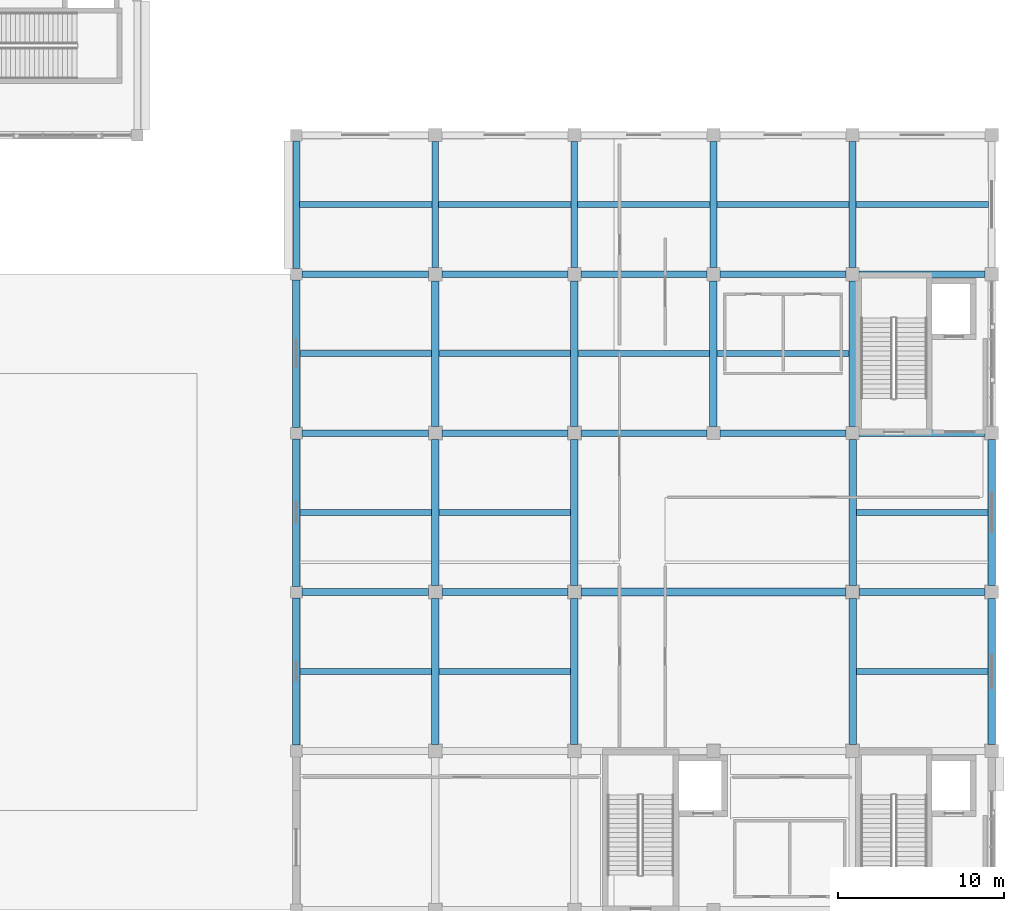
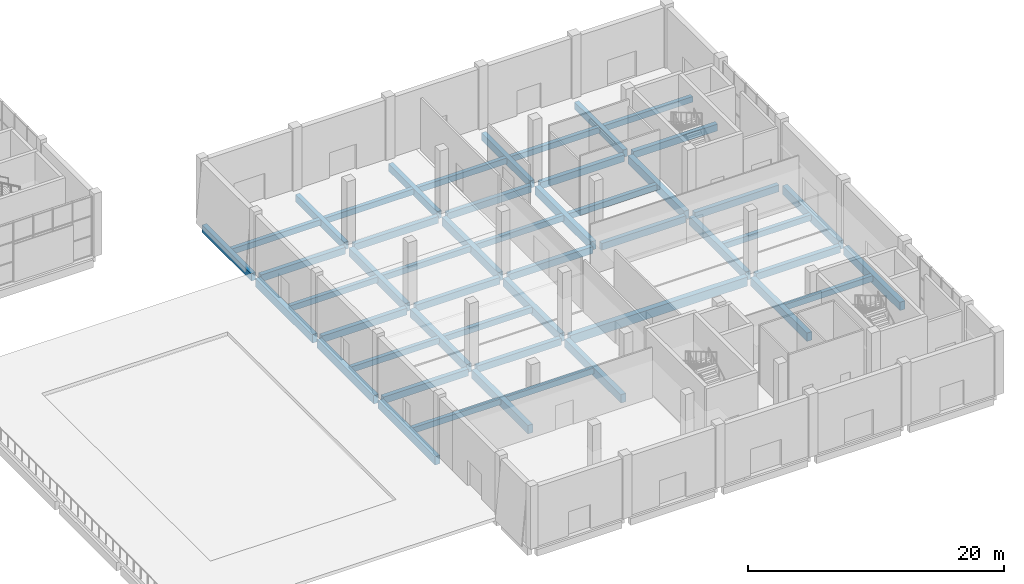
# One storey, part 36 of 84: 49 beams.
"""IFC4 building model written with IfcOpenShell, lengths in metres."""

from ifc_helpers import new_model, si_unit, direction, frame, origin, origin_2d, place, context, subcontext, project, spatial, rectangle, extrude, material, material_profile, profile_set, type_object, element, save


model = new_model("IFC4")

# Units and contexts
model_context = context("Model", 3, precision=1e-05, world=origin(), true_north=direction((0.0, 1.0)))
body_context = subcontext(model_context, "Body", "Model", "MODEL_VIEW")
ifc_project = project(units=[si_unit("LENGTHUNIT", "METRE"), si_unit("AREAUNIT", "SQUARE_METRE"), si_unit("VOLUMEUNIT", "CUBIC_METRE"), si_unit("PLANEANGLEUNIT", "RADIAN"), si_unit("MASSUNIT", "GRAM", prefix="KILO")], contexts=[model_context])

# Site, building, storey
site_placement = place(None, origin())
site = spatial("IfcSite", under=ifc_project, at=site_placement, CompositionType="ELEMENT")
building_placement = place(site_placement, origin())
building = spatial("IfcBuilding", under=site, at=building_placement, Name="Shalvenor Court Art Gallery", CompositionType="ELEMENT")
storey_placement = place(building_placement, origin())
storey = spatial("IfcBuildingStorey", under=building, at=storey_placement, Name="L00", CompositionType="ELEMENT", Elevation=0.0)

# Beams
ifc_material_1 = material(Name="Concrete C40/50", Category="concrete")
ifc_material_profile_1 = material_profile(ifc_material_1, rectangle(XDim=0.5, YDim=0.85009765625, at=origin_2d()), Name="RC 500x850")
ifc_profile_set_1 = profile_set([ifc_material_profile_1], Name="Concrete C40/50")
beam_type_1 = type_object("IfcBeamType", Name="B-02", PredefinedType="BEAM", material=ifc_profile_set_1)
beam_1_placement = place(storey_placement, frame((151.60009765625, 69.60009765625, -0.764892578125), z_axis=(1.0, 0.0, 0.0), x_axis=(0.0, 1.0, 0.0)))
element("IfcBeam", 1, at=beam_1_placement, inside=storey, type_object=beam_type_1, Name="L00 Girder BM-L00-B-02-0217", PredefinedType="BEAM", context=body_context, shape_type="SweptSolid", body=[
    extrude(rectangle(XDim=0.5, YDim=0.85009765625, at=origin_2d()), origin(), (0.0, 0.0, 1.0), 16.0),
])
ifc_material_2 = material(Name="Concrete C40/50", Category="concrete")
ifc_material_profile_2 = material_profile(ifc_material_2, rectangle(XDim=0.449951171875, YDim=0.800048828125, at=origin_2d()), Name="RC 450x800")
ifc_profile_set_2 = profile_set([ifc_material_profile_2], Name="Concrete C40/50")
beam_type_2 = type_object("IfcBeamType", Name="B-03", PredefinedType="BEAM", material=ifc_profile_set_2)
beam_2_placement = place(storey_placement, frame((134.39990234375, 60.35009765625, -0.739990234375), z_axis=(0.0, 1.0, 0.0), x_axis=(-1.0, 0.0, 0.0)))
element("IfcBeam", 2, at=beam_2_placement, inside=storey, type_object=beam_type_2, Name="L00 Girder BM-L00-B-03-0108", PredefinedType="BEAM", context=body_context, shape_type="SweptSolid", body=[
    extrude(rectangle(XDim=0.449951171875, YDim=0.800048828125, at=origin_2d()), origin(), (0.0, 0.0, 1.0), 8.89990234375),
])
beam_3_placement = place(storey_placement, frame((134.39990234375, 69.949951171875, -0.739990234375), z_axis=(0.0, 1.0, 0.0), x_axis=(-1.0, 0.0, 0.0)))
element("IfcBeam", 3, at=beam_3_placement, inside=storey, type_object=beam_type_2, Name="L00 Girder BM-L00-B-03-0109", PredefinedType="BEAM", context=body_context, shape_type="SweptSolid", body=[
    extrude(rectangle(XDim=0.449951171875, YDim=0.800048828125, at=origin_2d()), origin(), (0.0, 0.0, 1.0), 8.900146484375),
])
beam_4_placement = place(storey_placement, frame((134.39990234375, 79.550048828125, -0.739990234375), z_axis=(0.0, 1.0, 0.0), x_axis=(-1.0, 0.0, 0.0)))
element("IfcBeam", 4, at=beam_4_placement, inside=storey, type_object=beam_type_2, Name="L00 Girder BM-L00-B-03-0110", PredefinedType="BEAM", context=body_context, shape_type="SweptSolid", body=[
    extrude(rectangle(XDim=0.449951171875, YDim=0.800048828125, at=origin_2d()), origin(), (0.0, 0.0, 1.0), 8.89990234375),
])
for number, where, z_axis, x_axis, name in (
    (5, (142.800048828125, 60.39990234375, -0.739990234375), (0.0, 1.0, 0.0), (-1.0, 0.0, 0.0), "L00 Girder BM-L00-B-03-0114"),
    (6, (142.800048828125, 70.0, -0.739990234375), (0.0, 1.0, 0.0), (-1.0, 0.0, 0.0), "L00 Girder BM-L00-B-03-0115"),
):
    element("IfcBeam", number, at=place(storey_placement, frame(where, z_axis=z_axis, x_axis=x_axis)), inside=storey, type_object=beam_type_2, Name=name, PredefinedType="BEAM", context=body_context, shape_type="SweptSolid", body=[
        extrude(rectangle(XDim=0.449951171875, YDim=0.800048828125, at=origin_2d()), origin(), (0.0, 0.0, 1.0), 8.800048828125),
    ])
beam_5_placement = place(storey_placement, frame((142.800048828125, 79.60009765625, -0.739990234375), z_axis=(0.0, 1.0, 0.0), x_axis=(-1.0, 0.0, 0.0)))
element("IfcBeam", 7, at=beam_5_placement, inside=storey, type_object=beam_type_2, Name="L00 Girder BM-L00-B-03-0116", PredefinedType="BEAM", context=body_context, shape_type="SweptSolid", body=[
    extrude(rectangle(XDim=0.449951171875, YDim=0.800048828125, at=origin_2d()), origin(), (0.0, 0.0, 1.0), 8.7998046875),
])
for number, where, z_axis, x_axis, name in (
    (8, (151.199951171875, 60.39990234375, -0.739990234375), (0.0, 1.0, 0.0), (-1.0, 0.0, 0.0), "L00 Girder BM-L00-B-03-0120"),
    (9, (151.199951171875, 70.0, -0.739990234375), (0.0, 1.0, 0.0), (-1.0, 0.0, 0.0), "L00 Girder BM-L00-B-03-0121"),
):
    element("IfcBeam", number, at=place(storey_placement, frame(where, z_axis=z_axis, x_axis=x_axis)), inside=storey, type_object=beam_type_2, Name=name, PredefinedType="BEAM", context=body_context, shape_type="SweptSolid", body=[
        extrude(rectangle(XDim=0.449951171875, YDim=0.800048828125, at=origin_2d()), origin(), (0.0, 0.0, 1.0), 8.800048828125),
    ])
for number, where, z_axis, x_axis, name in (
    (10, (151.199951171875, 79.60009765625, -0.739990234375), (0.0, 1.0, 0.0), (-1.0, 0.0, 0.0), "L00 Girder BM-L00-B-03-0122"),
    (11, (159.60009765625, 79.60009765625, -0.739990234375), (0.0, 1.0, 0.0), (-1.0, 0.0, 0.0), "L00 Girder BM-L00-B-03-0125"),
):
    element("IfcBeam", number, at=place(storey_placement, frame(where, z_axis=z_axis, x_axis=x_axis)), inside=storey, type_object=beam_type_2, Name=name, PredefinedType="BEAM", context=body_context, shape_type="SweptSolid", body=[
        extrude(rectangle(XDim=0.449951171875, YDim=0.800048828125, at=origin_2d()), origin(), (0.0, 0.0, 1.0), 8.7998046875),
    ])
for number, where, z_axis, x_axis, name in (
    (12, (168.0, 60.39990234375, -0.739990234375), (0.0, 1.0, 0.0), (-1.0, 0.0, 0.0), "L00 Girder BM-L00-B-03-0129"),
    (13, (168.0, 70.0, -0.739990234375), (0.0, 1.0, 0.0), (-1.0, 0.0, 0.0), "L00 Girder BM-L00-B-03-0130"),
):
    element("IfcBeam", number, at=place(storey_placement, frame(where, z_axis=z_axis, x_axis=x_axis)), inside=storey, type_object=beam_type_2, Name=name, PredefinedType="BEAM", context=body_context, shape_type="SweptSolid", body=[
        extrude(rectangle(XDim=0.449951171875, YDim=0.800048828125, at=origin_2d()), origin(), (0.0, 0.0, 1.0), 8.800048828125),
    ])
beam_6_placement = place(storey_placement, frame((168.0, 79.60009765625, -0.739990234375), z_axis=(0.0, 1.0, 0.0), x_axis=(-1.0, 0.0, 0.0)))
element("IfcBeam", 14, at=beam_6_placement, inside=storey, type_object=beam_type_2, Name="L00 Girder BM-L00-B-03-0131", PredefinedType="BEAM", context=body_context, shape_type="SweptSolid", body=[
    extrude(rectangle(XDim=0.449951171875, YDim=0.800048828125, at=origin_2d()), origin(), (0.0, 0.0, 1.0), 8.7998046875),
])
for number, where, z_axis, x_axis, name in (
    (15, (176.39990234375, 60.39990234375, -0.739990234375), (0.0, 1.0, 0.0), (-1.0, 0.0, 0.0), "L00 Girder BM-L00-B-03-0135"),
    (16, (176.39990234375, 70.0, -0.739990234375), (0.0, 1.0, 0.0), (-1.0, 0.0, 0.0), "L00 Girder BM-L00-B-03-0136"),
):
    element("IfcBeam", number, at=place(storey_placement, frame(where, z_axis=z_axis, x_axis=x_axis)), inside=storey, type_object=beam_type_2, Name=name, PredefinedType="BEAM", context=body_context, shape_type="SweptSolid", body=[
        extrude(rectangle(XDim=0.449951171875, YDim=0.800048828125, at=origin_2d()), origin(), (0.0, 0.0, 1.0), 8.800048828125),
    ])
ifc_material_3 = material(Name="Concrete C40/50", Category="concrete")
ifc_material_profile_3 = material_profile(ifc_material_3, rectangle(XDim=0.39990234375, YDim=0.699951171875, at=origin_2d()), Name="RC 400x700")
ifc_profile_set_3 = profile_set([ifc_material_profile_3], Name="Concrete C40/50")
beam_type_3 = type_object("IfcBeamType", Name="B-05", PredefinedType="BEAM", material=ifc_profile_set_3)
beam_7_placement = place(storey_placement, frame((134.39990234375, 89.14990234375, -0.68994140625), z_axis=(0.0, 1.0, 0.0), x_axis=(-1.0, 0.0, 0.0)))
element("IfcBeam", 17, at=beam_7_placement, inside=storey, type_object=beam_type_3, Name="L00 Girder BM-L00-B-05-0111", PredefinedType="BEAM", context=body_context, shape_type="SweptSolid", body=[
    extrude(rectangle(XDim=0.39990234375, YDim=0.699951171875, at=origin_2d()), origin(), (0.0, 0.0, 1.0), 7.7001953125),
])
for number, where, z_axis, x_axis, name in (
    (18, (142.800048828125, 89.199951171875, -0.68994140625), (0.0, 1.0, 0.0), (-1.0, 0.0, 0.0), "L00 Girder BM-L00-B-05-0117"),
    (19, (151.199951171875, 89.199951171875, -0.68994140625), (0.0, 1.0, 0.0), (-1.0, 0.0, 0.0), "L00 Girder BM-L00-B-05-0123"),
    (20, (159.60009765625, 89.199951171875, -0.68994140625), (0.0, 1.0, 0.0), (-1.0, 0.0, 0.0), "L00 Girder BM-L00-B-05-0126"),
    (21, (168.0, 89.199951171875, -0.68994140625), (0.0, 1.0, 0.0), (-1.0, 0.0, 0.0), "L00 Girder BM-L00-B-05-0132"),
):
    element("IfcBeam", number, at=place(storey_placement, frame(where, z_axis=z_axis, x_axis=x_axis)), inside=storey, type_object=beam_type_3, Name=name, PredefinedType="BEAM", context=body_context, shape_type="SweptSolid", body=[
        extrude(rectangle(XDim=0.39990234375, YDim=0.699951171875, at=origin_2d()), origin(), (0.0, 0.0, 1.0), 7.60009765625),
    ])
ifc_material_4 = material(Name="Concrete C40/50", Category="concrete")
ifc_material_profile_4 = material_profile(ifc_material_4, rectangle(XDim=0.39990234375, YDim=0.64990234375, at=origin_2d()), Name="RC 400x650")
ifc_profile_set_4 = profile_set([ifc_material_profile_4], Name="Concrete C40/50")
beam_type_4 = type_object("IfcBeamType", Name="B-06", PredefinedType="BEAM", material=ifc_profile_set_4)
beam_8_placement = place(storey_placement, frame((134.75, 69.60009765625, -0.6650390625), z_axis=(1.0, 0.0, 0.0), x_axis=(0.0, 1.0, 0.0)))
element("IfcBeam", 22, at=beam_8_placement, inside=storey, type_object=beam_type_4, Name="L00 Girder BM-L00-B-06-0215", PredefinedType="BEAM", context=body_context, shape_type="SweptSolid", body=[
    extrude(rectangle(XDim=0.39990234375, YDim=0.64990234375, at=origin_2d()), origin(), (0.0, 0.0, 1.0), 7.64990234375),
])
for number, where, z_axis, x_axis, name in (
    (23, (143.199951171875, 69.60009765625, -0.6650390625), (1.0, 0.0, 0.0), (0.0, 1.0, 0.0), "L00 Girder BM-L00-B-06-0216"),
    (24, (168.39990234375, 69.60009765625, -0.6650390625), (1.0, 0.0, 0.0), (0.0, 1.0, 0.0), "L00 Girder BM-L00-B-06-0218"),
):
    element("IfcBeam", number, at=place(storey_placement, frame(where, z_axis=z_axis, x_axis=x_axis)), inside=storey, type_object=beam_type_4, Name=name, PredefinedType="BEAM", context=body_context, shape_type="SweptSolid", body=[
        extrude(rectangle(XDim=0.39990234375, YDim=0.64990234375, at=origin_2d()), origin(), (0.0, 0.0, 1.0), 7.60009765625),
    ])
beam_9_placement = place(storey_placement, frame((134.75, 79.199951171875, -0.6650390625), z_axis=(1.0, 0.0, 0.0), x_axis=(0.0, 1.0, 0.0)))
element("IfcBeam", 25, at=beam_9_placement, inside=storey, type_object=beam_type_4, Name="L00 Girder BM-L00-B-06-0223", PredefinedType="BEAM", context=body_context, shape_type="SweptSolid", body=[
    extrude(rectangle(XDim=0.39990234375, YDim=0.64990234375, at=origin_2d()), origin(), (0.0, 0.0, 1.0), 7.64990234375),
])
beam_10_placement = place(storey_placement, frame((143.199951171875, 79.199951171875, -0.6650390625), z_axis=(1.0, 0.0, 0.0), x_axis=(0.0, 1.0, 0.0)))
element("IfcBeam", 26, at=beam_10_placement, inside=storey, type_object=beam_type_4, Name="L00 Girder BM-L00-B-06-0224", PredefinedType="BEAM", context=body_context, shape_type="SweptSolid", body=[
    extrude(rectangle(XDim=0.39990234375, YDim=0.64990234375, at=origin_2d()), origin(), (0.0, 0.0, 1.0), 7.60009765625),
])
beam_11_placement = place(storey_placement, frame((151.60009765625, 79.199951171875, -0.6650390625), z_axis=(1.0, 0.0, 0.0), x_axis=(0.0, 1.0, 0.0)))
element("IfcBeam", 27, at=beam_11_placement, inside=storey, type_object=beam_type_4, Name="L00 Girder BM-L00-B-06-0225", PredefinedType="BEAM", context=body_context, shape_type="SweptSolid", body=[
    extrude(rectangle(XDim=0.39990234375, YDim=0.64990234375, at=origin_2d()), origin(), (0.0, 0.0, 1.0), 7.599853515625),
])
for number, where, z_axis, x_axis, name in (
    (28, (160.0, 79.199951171875, -0.6650390625), (1.0, 0.0, 0.0), (0.0, 1.0, 0.0), "L00 Girder BM-L00-B-06-0226"),
    (29, (168.39990234375, 79.199951171875, -0.6650390625), (1.0, 0.0, 0.0), (0.0, 1.0, 0.0), "L00 Girder BM-L00-B-06-0227"),
):
    element("IfcBeam", number, at=place(storey_placement, frame(where, z_axis=z_axis, x_axis=x_axis)), inside=storey, type_object=beam_type_4, Name=name, PredefinedType="BEAM", context=body_context, shape_type="SweptSolid", body=[
        extrude(rectangle(XDim=0.39990234375, YDim=0.64990234375, at=origin_2d()), origin(), (0.0, 0.0, 1.0), 7.60009765625),
    ])
beam_12_placement = place(storey_placement, frame((134.75, 88.800048828125, -0.6650390625), z_axis=(1.0, 0.0, 0.0), x_axis=(0.0, 1.0, 0.0)))
element("IfcBeam", 30, at=beam_12_placement, inside=storey, type_object=beam_type_4, Name="L00 Girder BM-L00-B-06-0232", PredefinedType="BEAM", context=body_context, shape_type="SweptSolid", body=[
    extrude(rectangle(XDim=0.39990234375, YDim=0.64990234375, at=origin_2d()), origin(), (0.0, 0.0, 1.0), 7.64990234375),
])
beam_13_placement = place(storey_placement, frame((143.199951171875, 88.800048828125, -0.6650390625), z_axis=(1.0, 0.0, 0.0), x_axis=(0.0, 1.0, 0.0)))
element("IfcBeam", 31, at=beam_13_placement, inside=storey, type_object=beam_type_4, Name="L00 Girder BM-L00-B-06-0233", PredefinedType="BEAM", context=body_context, shape_type="SweptSolid", body=[
    extrude(rectangle(XDim=0.39990234375, YDim=0.64990234375, at=origin_2d()), origin(), (0.0, 0.0, 1.0), 7.60009765625),
])
beam_14_placement = place(storey_placement, frame((151.60009765625, 88.800048828125, -0.6650390625), z_axis=(1.0, 0.0, 0.0), x_axis=(0.0, 1.0, 0.0)))
element("IfcBeam", 32, at=beam_14_placement, inside=storey, type_object=beam_type_4, Name="L00 Girder BM-L00-B-06-0234", PredefinedType="BEAM", context=body_context, shape_type="SweptSolid", body=[
    extrude(rectangle(XDim=0.39990234375, YDim=0.64990234375, at=origin_2d()), origin(), (0.0, 0.0, 1.0), 7.599853515625),
])
for number, where, z_axis, x_axis, name in (
    (33, (160.0, 88.800048828125, -0.6650390625), (1.0, 0.0, 0.0), (0.0, 1.0, 0.0), "L00 Girder BM-L00-B-06-0235"),
    (34, (168.39990234375, 88.800048828125, -0.6650390625), (1.0, 0.0, 0.0), (0.0, 1.0, 0.0), "L00 Girder BM-L00-B-06-0236"),
):
    element("IfcBeam", number, at=place(storey_placement, frame(where, z_axis=z_axis, x_axis=x_axis)), inside=storey, type_object=beam_type_4, Name=name, PredefinedType="BEAM", context=body_context, shape_type="SweptSolid", body=[
        extrude(rectangle(XDim=0.39990234375, YDim=0.64990234375, at=origin_2d()), origin(), (0.0, 0.0, 1.0), 7.60009765625),
    ])
ifc_material_5 = material(Name="Concrete C40/50", Category="concrete")
ifc_material_profile_5 = material_profile(ifc_material_5, rectangle(XDim=0.35009765625, YDim=0.550048828125, at=origin_2d()), Name="RC 350x550")
ifc_profile_set_5 = profile_set([ifc_material_profile_5], Name="Concrete C40/50")
beam_type_5 = type_object("IfcBeamType", Name="J-02", PredefinedType="JOIST", material=ifc_profile_set_5)
for number, where, z_axis, x_axis, name in (
    (35, (134.625, 64.800048828125, -0.614990234375), (1.0, 0.0, 0.0), (0.0, 1.0, 0.0), "L00 Secondary Beam JST-L00-J-02-0338"),
    (36, (134.625, 74.39990234375, -0.614990234375), (1.0, 0.0, 0.0), (0.0, 1.0, 0.0), "L00 Secondary Beam JST-L00-J-02-0339"),
    (37, (134.625, 84.0, -0.614990234375), (1.0, 0.0, 0.0), (0.0, 1.0, 0.0), "L00 Secondary Beam JST-L00-J-02-0340"),
):
    element("IfcBeam", number, at=place(storey_placement, frame(where, z_axis=z_axis, x_axis=x_axis)), inside=storey, type_object=beam_type_5, Name=name, PredefinedType="JOIST", context=body_context, shape_type="SweptSolid", body=[
        extrude(rectangle(XDim=0.35009765625, YDim=0.550048828125, at=origin_2d()), origin(), (0.0, 0.0, 1.0), 7.949951171875),
    ])
beam_15_placement = place(storey_placement, frame((134.60009765625, 93.0, -0.614990234375), z_axis=(1.0, 0.0, 0.0), x_axis=(0.0, 1.0, 0.0)))
element("IfcBeam", 38, at=beam_15_placement, inside=storey, type_object=beam_type_5, Name="L00 Secondary Beam JST-L00-J-02-0341", PredefinedType="JOIST", context=body_context, shape_type="SweptSolid", body=[
    extrude(rectangle(XDim=0.35009765625, YDim=0.550048828125, at=origin_2d()), origin(), (0.0, 0.0, 1.0), 8.0),
])
for number, where, z_axis, x_axis, name in (
    (39, (143.02490234375, 64.800048828125, -0.614990234375), (1.0, 0.0, 0.0), (0.0, 1.0, 0.0), "L00 Secondary Beam JST-L00-J-02-0343"),
    (40, (143.02490234375, 74.39990234375, -0.614990234375), (1.0, 0.0, 0.0), (0.0, 1.0, 0.0), "L00 Secondary Beam JST-L00-J-02-0344"),
    (41, (143.02490234375, 84.0, -0.614990234375), (1.0, 0.0, 0.0), (0.0, 1.0, 0.0), "L00 Secondary Beam JST-L00-J-02-0345"),
):
    element("IfcBeam", number, at=place(storey_placement, frame(where, z_axis=z_axis, x_axis=x_axis)), inside=storey, type_object=beam_type_5, Name=name, PredefinedType="JOIST", context=body_context, shape_type="SweptSolid", body=[
        extrude(rectangle(XDim=0.35009765625, YDim=0.550048828125, at=origin_2d()), origin(), (0.0, 0.0, 1.0), 7.9501953125),
    ])
beam_16_placement = place(storey_placement, frame((143.0, 93.0, -0.614990234375), z_axis=(1.0, 0.0, 0.0), x_axis=(0.0, 1.0, 0.0)))
element("IfcBeam", 42, at=beam_16_placement, inside=storey, type_object=beam_type_5, Name="L00 Secondary Beam JST-L00-J-02-0346", PredefinedType="JOIST", context=body_context, shape_type="SweptSolid", body=[
    extrude(rectangle(XDim=0.35009765625, YDim=0.550048828125, at=origin_2d()), origin(), (0.0, 0.0, 1.0), 8.0),
])
beam_17_placement = place(storey_placement, frame((151.425048828125, 84.0, -0.614990234375), z_axis=(1.0, 0.0, 0.0), x_axis=(0.0, 1.0, 0.0)))
element("IfcBeam", 43, at=beam_17_placement, inside=storey, type_object=beam_type_5, Name="L00 Secondary Beam JST-L00-J-02-0348", PredefinedType="JOIST", context=body_context, shape_type="SweptSolid", body=[
    extrude(rectangle(XDim=0.35009765625, YDim=0.550048828125, at=origin_2d()), origin(), (0.0, 0.0, 1.0), 7.949951171875),
])
beam_18_placement = place(storey_placement, frame((151.39990234375, 93.0, -0.614990234375), z_axis=(1.0, 0.0, 0.0), x_axis=(0.0, 1.0, 0.0)))
element("IfcBeam", 44, at=beam_18_placement, inside=storey, type_object=beam_type_5, Name="L00 Secondary Beam JST-L00-J-02-0349", PredefinedType="JOIST", context=body_context, shape_type="SweptSolid", body=[
    extrude(rectangle(XDim=0.35009765625, YDim=0.550048828125, at=origin_2d()), origin(), (0.0, 0.0, 1.0), 8.0),
])
beam_19_placement = place(storey_placement, frame((159.824951171875, 84.0, -0.614990234375), z_axis=(1.0, 0.0, 0.0), x_axis=(0.0, 1.0, 0.0)))
element("IfcBeam", 45, at=beam_19_placement, inside=storey, type_object=beam_type_5, Name="L00 Secondary Beam JST-L00-J-02-0351", PredefinedType="JOIST", context=body_context, shape_type="SweptSolid", body=[
    extrude(rectangle(XDim=0.35009765625, YDim=0.550048828125, at=origin_2d()), origin(), (0.0, 0.0, 1.0), 7.949951171875),
])
beam_20_placement = place(storey_placement, frame((159.800048828125, 93.0, -0.614990234375), z_axis=(1.0, 0.0, 0.0), x_axis=(0.0, 1.0, 0.0)))
element("IfcBeam", 46, at=beam_20_placement, inside=storey, type_object=beam_type_5, Name="L00 Secondary Beam JST-L00-J-02-0352", PredefinedType="JOIST", context=body_context, shape_type="SweptSolid", body=[
    extrude(rectangle(XDim=0.35009765625, YDim=0.550048828125, at=origin_2d()), origin(), (0.0, 0.0, 1.0), 8.0),
])
for number, where, z_axis, x_axis, name in (
    (47, (168.22509765625, 64.800048828125, -0.614990234375), (1.0, 0.0, 0.0), (0.0, 1.0, 0.0), "L00 Secondary Beam JST-L00-J-02-0354"),
    (48, (168.22509765625, 74.39990234375, -0.614990234375), (1.0, 0.0, 0.0), (0.0, 1.0, 0.0), "L00 Secondary Beam JST-L00-J-02-0355"),
):
    element("IfcBeam", number, at=place(storey_placement, frame(where, z_axis=z_axis, x_axis=x_axis)), inside=storey, type_object=beam_type_5, Name=name, PredefinedType="JOIST", context=body_context, shape_type="SweptSolid", body=[
        extrude(rectangle(XDim=0.35009765625, YDim=0.550048828125, at=origin_2d()), origin(), (0.0, 0.0, 1.0), 7.949951171875),
    ])
beam_21_placement = place(storey_placement, frame((168.199951171875, 93.0, -0.614990234375), z_axis=(1.0, 0.0, 0.0), x_axis=(0.0, 1.0, 0.0)))
element("IfcBeam", 49, at=beam_21_placement, inside=storey, type_object=beam_type_5, Name="L00 Secondary Beam JST-L00-J-02-0356", PredefinedType="JOIST", context=body_context, shape_type="SweptSolid", body=[
    extrude(rectangle(XDim=0.35009765625, YDim=0.550048828125, at=origin_2d()), origin(), (0.0, 0.0, 1.0), 8.0),
])

save(model, "model.ifc")
